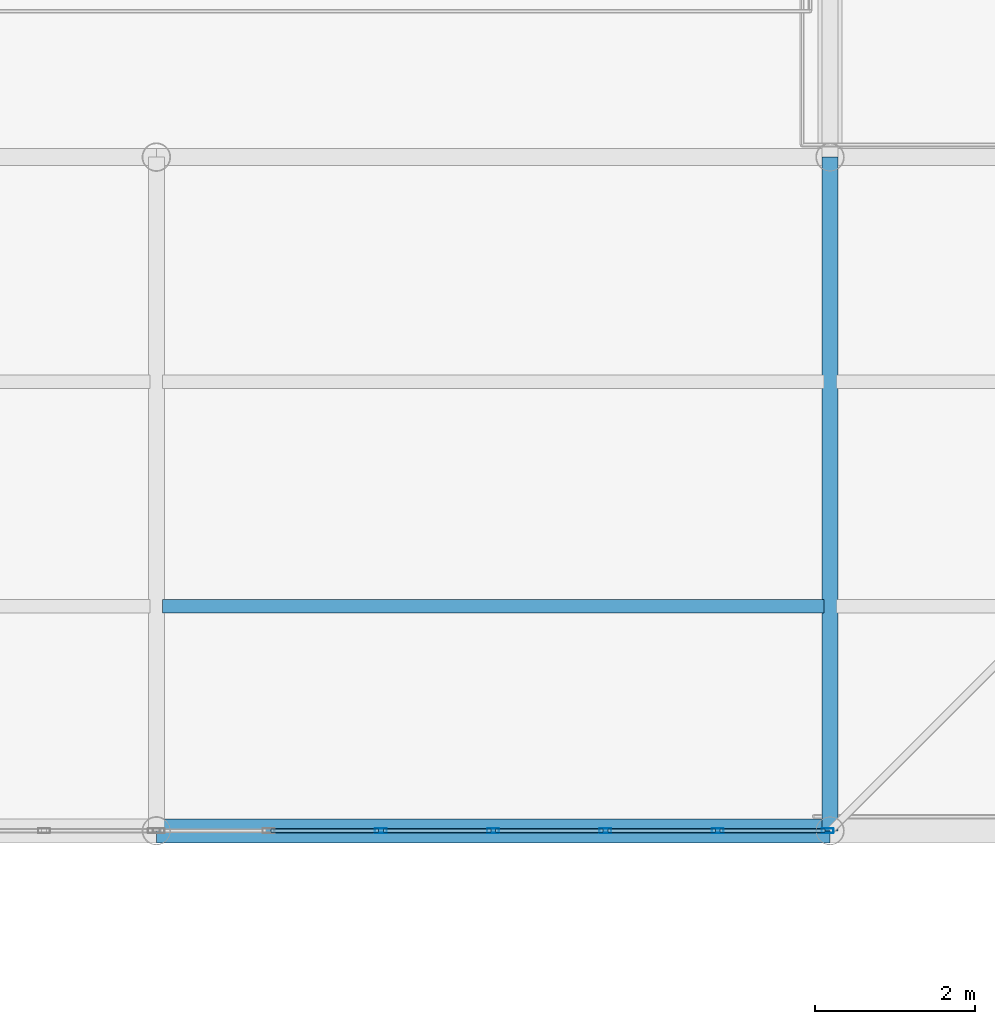
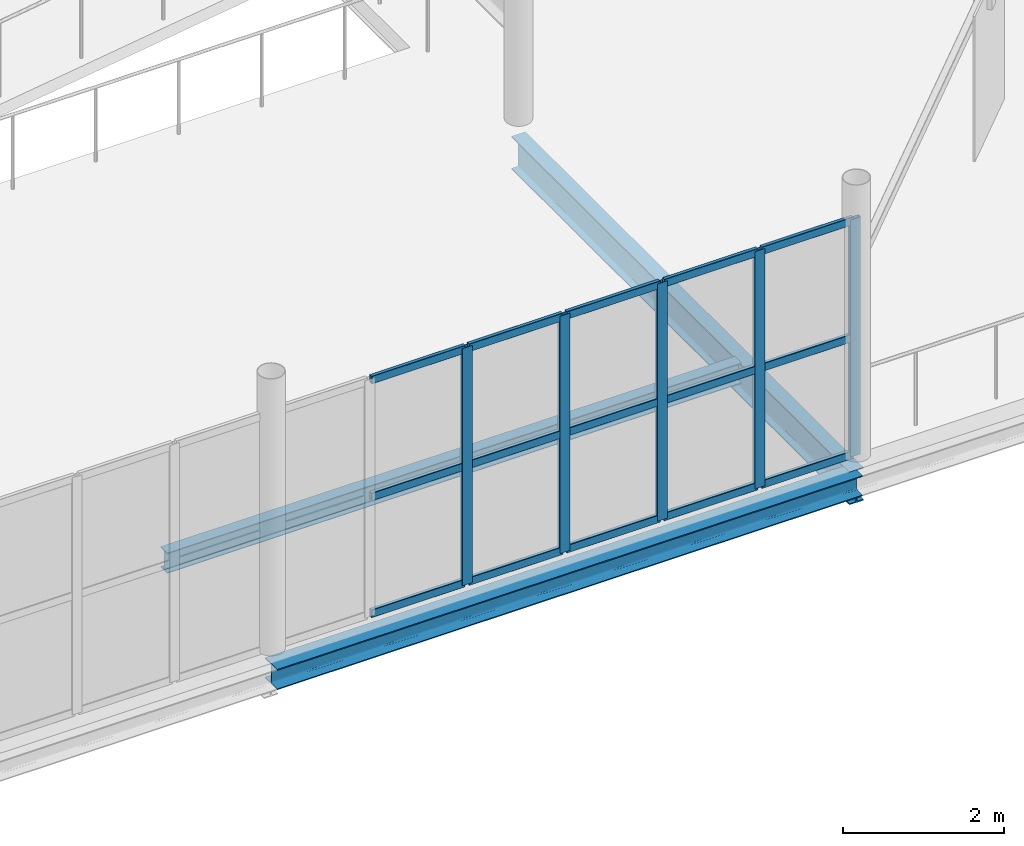
# One storey, part 131 of 184: 20 members, 3 beams, 1 element without a shape of its own.
"""IFC4 building model written with IfcOpenShell, lengths in metres."""

from ifc_helpers import new_model, si_unit, direction, frame, origin, origin_2d, place, context, subcontext, project, spatial, hollow_rectangle, i_section, extrude, material, layer, layer_set, material_profile, profile_set, type_object, element, aggregate, save


model = new_model("IFC4")

# Units and contexts
model_context = context("Model", 3, precision=1e-05, world=origin(), true_north=direction((0.0, 1.0)))
body_context = subcontext(model_context, "Body", "Model", "MODEL_VIEW")
ifc_project = project(units=[si_unit("LENGTHUNIT", "METRE"), si_unit("AREAUNIT", "SQUARE_METRE"), si_unit("VOLUMEUNIT", "CUBIC_METRE"), si_unit("PLANEANGLEUNIT", "RADIAN"), si_unit("MASSUNIT", "GRAM", prefix="KILO")], contexts=[model_context])

# Site, building, storey
site_placement = place(None, origin())
site = spatial("IfcSite", under=ifc_project, at=site_placement, CompositionType="ELEMENT")
building_placement = place(site_placement, origin())
building = spatial("IfcBuilding", under=site, at=building_placement, Name="Qalvenar Corner Mobility Hub", CompositionType="ELEMENT")
storey_placement = place(building_placement, frame((0.0, 0.0, 9.0)))
storey = spatial("IfcBuildingStorey", under=building, at=storey_placement, Name="L02", CompositionType="ELEMENT", Elevation=9.0)

# Beams
ifc_material_1 = material(Name="Steel S355", Category="steel")
ifc_material_profile_1 = material_profile(ifc_material_1, i_section(OverallWidth=0.199951171875, OverallDepth=0.5, WebThickness=0.01025390625, FlangeThickness=0.01611328125, FilletRadius=0.02099609375, at=origin_2d()), Name="IPE500")
ifc_profile_set_1 = profile_set([ifc_material_profile_1], Name="Steel S355")
beam_type_1 = type_object("IfcBeamType", Name="BM-IPE500", PredefinedType="BEAM", material=ifc_profile_set_1)
beam_1_placement = place(storey_placement, frame((159.60009765625, 67.199951171875, -0.489990234375), z_axis=(0.0, 1.0, 0.0), x_axis=(-1.0, 0.0, 0.0)))
element("IfcBeam", 1, at=beam_1_placement, inside=storey, type_object=beam_type_1, Name="Primary Steel Girder GY-2132", PredefinedType="BEAM", context=body_context, shape_type="SweptSolid", body=[
    extrude(i_section(OverallWidth=0.199951171875, OverallDepth=0.5, WebThickness=0.01025390625, FlangeThickness=0.01611328125, FilletRadius=0.02099609375, at=origin_2d()), origin(), (0.0, 0.0, 1.0), 8.400146484375),
])
ifc_material_profile_2 = material_profile(ifc_material_1, i_section(OverallWidth=0.1650390625, OverallDepth=0.31005859375, WebThickness=0.005859375, FlangeThickness=0.009765625, FilletRadius=0.011962890625, at=origin_2d()), Name="W310x38.7")
ifc_profile_set_2 = profile_set([ifc_material_profile_2], Name="Steel S355")
beam_type_2 = type_object("IfcBeamType", Name="BM-JST310", PredefinedType="JOIST", material=ifc_profile_set_2)
beam_2_placement = place(storey_placement, frame((151.278076171875, 70.0, -0.39501953125), z_axis=(1.0, 0.0, 0.0), x_axis=(0.0, 1.0, 0.0)))
element("IfcBeam", 2, at=beam_2_placement, inside=storey, type_object=beam_type_2, Name="Composite Floor Joist J-2152", PredefinedType="JOIST", context=body_context, shape_type="SweptSolid", body=[
    extrude(i_section(OverallWidth=0.1650390625, OverallDepth=0.31005859375, WebThickness=0.005859375, FlangeThickness=0.009765625, FilletRadius=0.011962890625, at=origin_2d()), origin(), (0.0, 0.0, 1.0), 8.243896484375),
])
ifc_material_profile_3 = material_profile(ifc_material_1, i_section(OverallWidth=0.300048828125, OverallDepth=0.31005859375, WebThickness=0.009033203125, FlangeThickness=0.015380859375, FilletRadius=0.027099609375, at=origin_2d()), Name="HEA320")
ifc_profile_set_3 = profile_set([ifc_material_profile_3], Name="Steel S355")
beam_type_3 = type_object("IfcBeamType", Name="BM-SPN320", PredefinedType="SPANDREL", material=ifc_profile_set_3)
beam_3_placement = place(storey_placement, frame((151.199951171875, 67.199951171875, -0.39501953125), z_axis=(1.0, 0.0, 0.0), x_axis=(0.0, 1.0, 0.0)))
element("IfcBeam", 3, at=beam_3_placement, inside=storey, type_object=beam_type_3, Name="Primary Steel Girder GX-2113", PredefinedType="SPANDREL", context=body_context, shape_type="SweptSolid", body=[
    extrude(i_section(OverallWidth=0.300048828125, OverallDepth=0.31005859375, WebThickness=0.009033203125, FlangeThickness=0.015380859375, FilletRadius=0.027099609375, at=origin_2d()), origin(), (0.0, 0.0, 1.0), 8.400146484375),
])

# Curtain wall, members
ifc_material_2 = material(Name="Anodised Aluminium and Low-E Glazing", Category="aluminium")
ifc_layer = layer(ifc_material_2, 0.1201171875)
ifc_layer_set = layer_set([ifc_layer], Name="Anodised Aluminium and Low-E Glazing")
curtain_wall_type = type_object("IfcCurtainWallType", Name="CW-STR-42X40", PredefinedType="NOTDEFINED", material=ifc_layer_set)
curtain_wall_placement = place(storey_placement, origin())
curtain_wall = element("IfcCurtainWall", 4, at=curtain_wall_placement, inside=storey, type_object=curtain_wall_type, Name="Glazed Curtain Wall CW-V2-L02-S1", PredefinedType="NOTDEFINED")
ifc_material_3 = material(Name="Anodised Aluminium 6063-T6", Category="aluminium")
ifc_material_profile_4 = material_profile(ifc_material_3, hollow_rectangle(XDim=0.06005859375, YDim=0.14990234375, WallThickness=0.00390625, InnerFilletRadius=0.00390625, OuterFilletRadius=0.008056640625, at=origin_2d()), Name="RHS150x60x4")
ifc_profile_set_4 = profile_set([ifc_material_profile_4], Name="Anodised Aluminium 6063-T6")
member_type_1 = type_object("IfcMemberType", Name="CW-MUL150", PredefinedType="MULLION", material=ifc_profile_set_4)
member_1_placement = place(storey_placement, frame((154.0, 67.199951171875, 0.0), z_axis=(0.0, 0.0, 1.0), x_axis=(0.0, 1.0, 0.0)))
member_1 = element("IfcMember", 5, at=member_1_placement, type_object=member_type_1, Name="CW-10 mullion 3", PredefinedType="MULLION", context=body_context, shape_type="SweptSolid", body=[
    extrude(hollow_rectangle(XDim=0.06005859375, YDim=0.14990234375, WallThickness=0.00390625, InnerFilletRadius=0.00390625, OuterFilletRadius=0.008056640625, at=origin_2d()), origin(), (0.0, 0.0, 1.0), 3.60009765625),
])
member_2_placement = place(storey_placement, frame((155.39990234375, 67.199951171875, 0.0), z_axis=(0.0, 0.0, 1.0), x_axis=(0.0, 1.0, 0.0)))
member_2 = element("IfcMember", 6, at=member_2_placement, type_object=member_type_1, Name="CW-10 mullion 4", PredefinedType="MULLION", context=body_context, shape_type="SweptSolid", body=[
    extrude(hollow_rectangle(XDim=0.06005859375, YDim=0.14990234375, WallThickness=0.00390625, InnerFilletRadius=0.00390625, OuterFilletRadius=0.008056640625, at=origin_2d()), origin(), (0.0, 0.0, 1.0), 3.60009765625),
])
member_3_placement = place(storey_placement, frame((156.800048828125, 67.199951171875, 0.0), z_axis=(0.0, 0.0, 1.0), x_axis=(0.0, 1.0, 0.0)))
member_3 = element("IfcMember", 7, at=member_3_placement, type_object=member_type_1, Name="CW-10 mullion 5", PredefinedType="MULLION", context=body_context, shape_type="SweptSolid", body=[
    extrude(hollow_rectangle(XDim=0.06005859375, YDim=0.14990234375, WallThickness=0.00390625, InnerFilletRadius=0.00390625, OuterFilletRadius=0.008056640625, at=origin_2d()), origin(), (0.0, 0.0, 1.0), 3.60009765625),
])
member_4_placement = place(storey_placement, frame((158.199951171875, 67.199951171875, 0.0), z_axis=(0.0, 0.0, 1.0), x_axis=(0.0, 1.0, 0.0)))
member_4 = element("IfcMember", 8, at=member_4_placement, type_object=member_type_1, Name="CW-10 mullion 6", PredefinedType="MULLION", context=body_context, shape_type="SweptSolid", body=[
    extrude(hollow_rectangle(XDim=0.06005859375, YDim=0.14990234375, WallThickness=0.00390625, InnerFilletRadius=0.00390625, OuterFilletRadius=0.008056640625, at=origin_2d()), origin(), (0.0, 0.0, 1.0), 3.60009765625),
])
member_5_placement = place(storey_placement, frame((159.570068359375, 67.199951171875, 0.0), z_axis=(0.0, 0.0, 1.0), x_axis=(0.0, 1.0, 0.0)))
member_5 = element("IfcMember", 9, at=member_5_placement, type_object=member_type_1, Name="CW-10 mullion 7", PredefinedType="MULLION", context=body_context, shape_type="SweptSolid", body=[
    extrude(hollow_rectangle(XDim=0.06005859375, YDim=0.14990234375, WallThickness=0.00390625, InnerFilletRadius=0.00390625, OuterFilletRadius=0.008056640625, at=origin_2d()), origin(), (0.0, 0.0, 1.0), 3.60009765625),
])
ifc_material_profile_5 = material_profile(ifc_material_3, hollow_rectangle(XDim=0.054931640625, YDim=0.1201171875, WallThickness=0.00341796875, InnerFilletRadius=0.00341796875, OuterFilletRadius=0.007080078125, at=origin_2d()), Name="RHS120x55x3.5")
ifc_profile_set_5 = profile_set([ifc_material_profile_5], Name="Anodised Aluminium 6063-T6")
member_type_2 = type_object("IfcMemberType", Name="CW-TRN120", PredefinedType="USERDEFINED", material=ifc_profile_set_5)
member_6_placement = place(storey_placement, frame((152.6298828125, 67.199951171875, 0.027587890625), z_axis=(1.0, 0.0, 0.0), x_axis=(0.0, 1.0, 0.0)))
member_6 = element("IfcMember", 10, at=member_6_placement, type_object=member_type_2, Name="CW-10 transom 2.1", ObjectType="TRANSOM", PredefinedType="USERDEFINED", context=body_context, shape_type="SweptSolid", body=[
    extrude(hollow_rectangle(XDim=0.054931640625, YDim=0.1201171875, WallThickness=0.00341796875, InnerFilletRadius=0.00341796875, OuterFilletRadius=0.007080078125, at=origin_2d()), origin(), (0.0, 0.0, 1.0), 1.340087890625),
])
member_7_placement = place(storey_placement, frame((152.6298828125, 67.199951171875, 1.800048828125), z_axis=(1.0, 0.0, 0.0), x_axis=(0.0, 1.0, 0.0)))
member_7 = element("IfcMember", 11, at=member_7_placement, type_object=member_type_2, Name="CW-10 transom 2.2", ObjectType="TRANSOM", PredefinedType="USERDEFINED", context=body_context, shape_type="SweptSolid", body=[
    extrude(hollow_rectangle(XDim=0.054931640625, YDim=0.1201171875, WallThickness=0.00341796875, InnerFilletRadius=0.00341796875, OuterFilletRadius=0.007080078125, at=origin_2d()), origin(), (0.0, 0.0, 1.0), 1.340087890625),
])
member_8_placement = place(storey_placement, frame((152.6298828125, 67.199951171875, 3.572509765625), z_axis=(1.0, 0.0, 0.0), x_axis=(0.0, 1.0, 0.0)))
member_8 = element("IfcMember", 12, at=member_8_placement, type_object=member_type_2, Name="CW-10 transom 2.3", ObjectType="TRANSOM", PredefinedType="USERDEFINED", context=body_context, shape_type="SweptSolid", body=[
    extrude(hollow_rectangle(XDim=0.054931640625, YDim=0.1201171875, WallThickness=0.00341796875, InnerFilletRadius=0.00341796875, OuterFilletRadius=0.007080078125, at=origin_2d()), origin(), (0.0, 0.0, 1.0), 1.340087890625),
])
member_9_placement = place(storey_placement, frame((154.030029296875, 67.199951171875, 0.027587890625), z_axis=(1.0, 0.0, 0.0), x_axis=(0.0, 1.0, 0.0)))
member_9 = element("IfcMember", 13, at=member_9_placement, type_object=member_type_2, Name="CW-10 transom 3.1", ObjectType="TRANSOM", PredefinedType="USERDEFINED", context=body_context, shape_type="SweptSolid", body=[
    extrude(hollow_rectangle(XDim=0.054931640625, YDim=0.1201171875, WallThickness=0.00341796875, InnerFilletRadius=0.00341796875, OuterFilletRadius=0.007080078125, at=origin_2d()), origin(), (0.0, 0.0, 1.0), 1.340087890625),
])
member_10_placement = place(storey_placement, frame((154.030029296875, 67.199951171875, 1.800048828125), z_axis=(1.0, 0.0, 0.0), x_axis=(0.0, 1.0, 0.0)))
member_10 = element("IfcMember", 14, at=member_10_placement, type_object=member_type_2, Name="CW-10 transom 3.2", ObjectType="TRANSOM", PredefinedType="USERDEFINED", context=body_context, shape_type="SweptSolid", body=[
    extrude(hollow_rectangle(XDim=0.054931640625, YDim=0.1201171875, WallThickness=0.00341796875, InnerFilletRadius=0.00341796875, OuterFilletRadius=0.007080078125, at=origin_2d()), origin(), (0.0, 0.0, 1.0), 1.340087890625),
])
member_11_placement = place(storey_placement, frame((154.030029296875, 67.199951171875, 3.572509765625), z_axis=(1.0, 0.0, 0.0), x_axis=(0.0, 1.0, 0.0)))
member_11 = element("IfcMember", 15, at=member_11_placement, type_object=member_type_2, Name="CW-10 transom 3.3", ObjectType="TRANSOM", PredefinedType="USERDEFINED", context=body_context, shape_type="SweptSolid", body=[
    extrude(hollow_rectangle(XDim=0.054931640625, YDim=0.1201171875, WallThickness=0.00341796875, InnerFilletRadius=0.00341796875, OuterFilletRadius=0.007080078125, at=origin_2d()), origin(), (0.0, 0.0, 1.0), 1.340087890625),
])
member_12_placement = place(storey_placement, frame((155.429931640625, 67.199951171875, 0.027587890625), z_axis=(1.0, 0.0, 0.0), x_axis=(0.0, 1.0, 0.0)))
member_12 = element("IfcMember", 16, at=member_12_placement, type_object=member_type_2, Name="CW-10 transom 4.1", ObjectType="TRANSOM", PredefinedType="USERDEFINED", context=body_context, shape_type="SweptSolid", body=[
    extrude(hollow_rectangle(XDim=0.054931640625, YDim=0.1201171875, WallThickness=0.00341796875, InnerFilletRadius=0.00341796875, OuterFilletRadius=0.007080078125, at=origin_2d()), origin(), (0.0, 0.0, 1.0), 1.340087890625),
])
member_13_placement = place(storey_placement, frame((155.429931640625, 67.199951171875, 1.800048828125), z_axis=(1.0, 0.0, 0.0), x_axis=(0.0, 1.0, 0.0)))
member_13 = element("IfcMember", 17, at=member_13_placement, type_object=member_type_2, Name="CW-10 transom 4.2", ObjectType="TRANSOM", PredefinedType="USERDEFINED", context=body_context, shape_type="SweptSolid", body=[
    extrude(hollow_rectangle(XDim=0.054931640625, YDim=0.1201171875, WallThickness=0.00341796875, InnerFilletRadius=0.00341796875, OuterFilletRadius=0.007080078125, at=origin_2d()), origin(), (0.0, 0.0, 1.0), 1.340087890625),
])
member_14_placement = place(storey_placement, frame((155.429931640625, 67.199951171875, 3.572509765625), z_axis=(1.0, 0.0, 0.0), x_axis=(0.0, 1.0, 0.0)))
member_14 = element("IfcMember", 18, at=member_14_placement, type_object=member_type_2, Name="CW-10 transom 4.3", ObjectType="TRANSOM", PredefinedType="USERDEFINED", context=body_context, shape_type="SweptSolid", body=[
    extrude(hollow_rectangle(XDim=0.054931640625, YDim=0.1201171875, WallThickness=0.00341796875, InnerFilletRadius=0.00341796875, OuterFilletRadius=0.007080078125, at=origin_2d()), origin(), (0.0, 0.0, 1.0), 1.340087890625),
])
member_15_placement = place(storey_placement, frame((156.830078125, 67.199951171875, 0.027587890625), z_axis=(1.0, 0.0, 0.0), x_axis=(0.0, 1.0, 0.0)))
member_15 = element("IfcMember", 19, at=member_15_placement, type_object=member_type_2, Name="CW-10 transom 5.1", ObjectType="TRANSOM", PredefinedType="USERDEFINED", context=body_context, shape_type="SweptSolid", body=[
    extrude(hollow_rectangle(XDim=0.054931640625, YDim=0.1201171875, WallThickness=0.00341796875, InnerFilletRadius=0.00341796875, OuterFilletRadius=0.007080078125, at=origin_2d()), origin(), (0.0, 0.0, 1.0), 1.33984375),
])
member_16_placement = place(storey_placement, frame((156.830078125, 67.199951171875, 1.800048828125), z_axis=(1.0, 0.0, 0.0), x_axis=(0.0, 1.0, 0.0)))
member_16 = element("IfcMember", 20, at=member_16_placement, type_object=member_type_2, Name="CW-10 transom 5.2", ObjectType="TRANSOM", PredefinedType="USERDEFINED", context=body_context, shape_type="SweptSolid", body=[
    extrude(hollow_rectangle(XDim=0.054931640625, YDim=0.1201171875, WallThickness=0.00341796875, InnerFilletRadius=0.00341796875, OuterFilletRadius=0.007080078125, at=origin_2d()), origin(), (0.0, 0.0, 1.0), 1.33984375),
])
member_17_placement = place(storey_placement, frame((156.830078125, 67.199951171875, 3.572509765625), z_axis=(1.0, 0.0, 0.0), x_axis=(0.0, 1.0, 0.0)))
member_17 = element("IfcMember", 21, at=member_17_placement, type_object=member_type_2, Name="CW-10 transom 5.3", ObjectType="TRANSOM", PredefinedType="USERDEFINED", context=body_context, shape_type="SweptSolid", body=[
    extrude(hollow_rectangle(XDim=0.054931640625, YDim=0.1201171875, WallThickness=0.00341796875, InnerFilletRadius=0.00341796875, OuterFilletRadius=0.007080078125, at=origin_2d()), origin(), (0.0, 0.0, 1.0), 1.33984375),
])
member_18_placement = place(storey_placement, frame((158.22998046875, 67.199951171875, 0.027587890625), z_axis=(1.0, 0.0, 0.0), x_axis=(0.0, 1.0, 0.0)))
member_18 = element("IfcMember", 22, at=member_18_placement, type_object=member_type_2, Name="CW-10 transom 6.1", ObjectType="TRANSOM", PredefinedType="USERDEFINED", context=body_context, shape_type="SweptSolid", body=[
    extrude(hollow_rectangle(XDim=0.054931640625, YDim=0.1201171875, WallThickness=0.00341796875, InnerFilletRadius=0.00341796875, OuterFilletRadius=0.007080078125, at=origin_2d()), origin(), (0.0, 0.0, 1.0), 1.31005859375),
])
member_19_placement = place(storey_placement, frame((158.22998046875, 67.199951171875, 1.800048828125), z_axis=(1.0, 0.0, 0.0), x_axis=(0.0, 1.0, 0.0)))
member_19 = element("IfcMember", 23, at=member_19_placement, type_object=member_type_2, Name="CW-10 transom 6.2", ObjectType="TRANSOM", PredefinedType="USERDEFINED", context=body_context, shape_type="SweptSolid", body=[
    extrude(hollow_rectangle(XDim=0.054931640625, YDim=0.1201171875, WallThickness=0.00341796875, InnerFilletRadius=0.00341796875, OuterFilletRadius=0.007080078125, at=origin_2d()), origin(), (0.0, 0.0, 1.0), 1.31005859375),
])
member_20_placement = place(storey_placement, frame((158.22998046875, 67.199951171875, 3.572509765625), z_axis=(1.0, 0.0, 0.0), x_axis=(0.0, 1.0, 0.0)))
member_20 = element("IfcMember", 24, at=member_20_placement, type_object=member_type_2, Name="CW-10 transom 6.3", ObjectType="TRANSOM", PredefinedType="USERDEFINED", context=body_context, shape_type="SweptSolid", body=[
    extrude(hollow_rectangle(XDim=0.054931640625, YDim=0.1201171875, WallThickness=0.00341796875, InnerFilletRadius=0.00341796875, OuterFilletRadius=0.007080078125, at=origin_2d()), origin(), (0.0, 0.0, 1.0), 1.31005859375),
])
aggregate(curtain_wall, [member_1, member_2, member_3, member_4, member_5, member_6, member_7, member_8, member_9, member_10, member_11, member_12, member_13, member_14, member_15, member_16, member_17, member_18, member_19, member_20])

save(model, "model.ifc")
